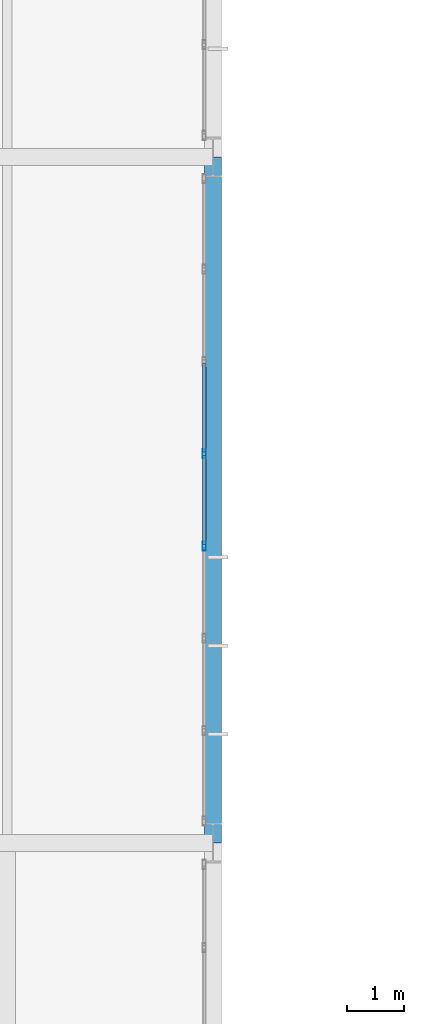
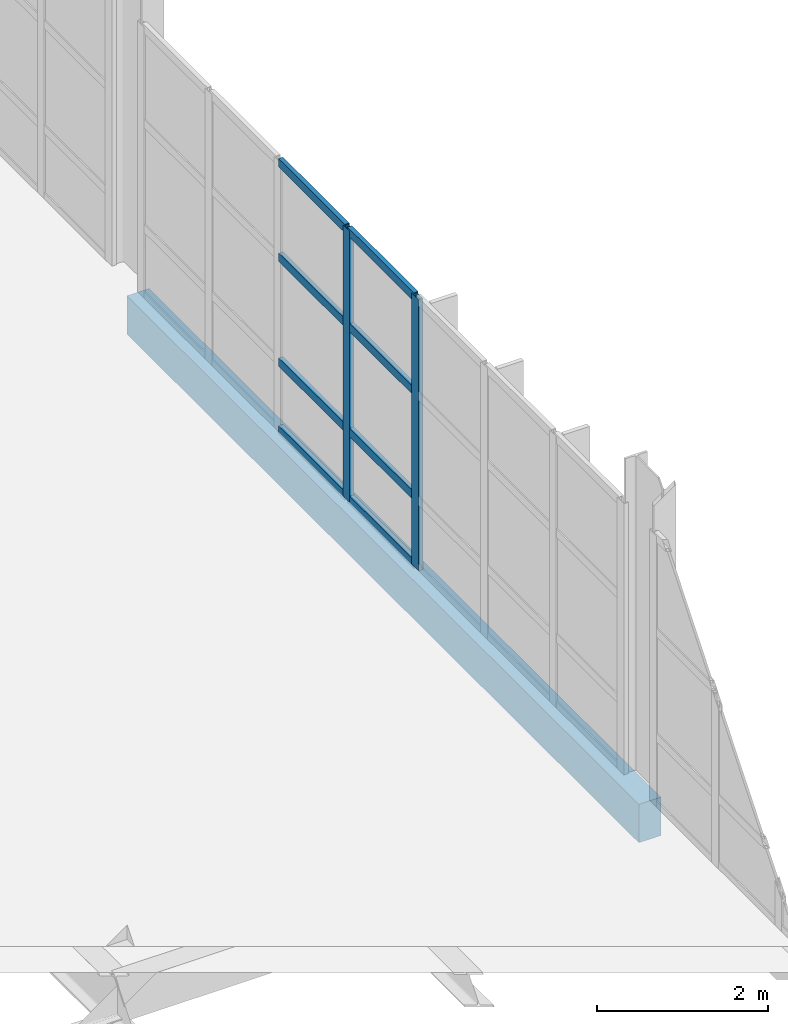
# One storey, part 76 of 113: 10 members, 1 beam, 1 element without a shape of its own.
"""IFC4 building model written with IfcOpenShell, lengths in metres."""

from ifc_helpers import new_model, si_unit, direction, frame, origin, origin_2d, place, context, subcontext, project, spatial, rectangle, hollow_rectangle, extrude, material, material_profile, profile_set, type_object, element, aggregate, save


model = new_model("IFC4")

# Units and contexts
model_context = context("Model", 3, precision=1e-05, world=origin(), true_north=direction((0.0, 1.0)))
body_context = subcontext(model_context, "Body", "Model", "MODEL_VIEW")
ifc_project = project(units=[si_unit("LENGTHUNIT", "METRE"), si_unit("AREAUNIT", "SQUARE_METRE"), si_unit("VOLUMEUNIT", "CUBIC_METRE"), si_unit("PLANEANGLEUNIT", "RADIAN"), si_unit("MASSUNIT", "GRAM", prefix="KILO")], contexts=[model_context])

# Site, building, storey
site_placement = place(None, origin())
site = spatial("IfcSite", under=ifc_project, at=site_placement, CompositionType="ELEMENT")
building_placement = place(site_placement, origin())
building = spatial("IfcBuilding", under=site, at=building_placement, Name="Veltarok Museum of Natural Sciences", CompositionType="ELEMENT")
storey_placement = place(building_placement, frame((0.0, 0.0, 8.39990234375)))
storey = spatial("IfcBuildingStorey", under=building, at=storey_placement, Name="L01", CompositionType="ELEMENT", Elevation=8.39990234375)

# Curtain wall, members
ifc_material_1 = material(Name="Low-iron triple insulated glass", Category="glass")
curtain_wall_type = type_object("IfcCurtainWallType", Name="Curtain Wall System CW-V5E-L01-E-1130x388 (V5 East Lab L01 E-F 1130x388cm)", PredefinedType="NOTDEFINED", material=ifc_material_1)
curtain_wall_placement = place(storey_placement, origin())
curtain_wall = element("IfcCurtainWall", 1, at=curtain_wall_placement, inside=storey, type_object=curtain_wall_type, Name="Curtain Wall CW-V5E-L01-E-1130x388 CW-0106", PredefinedType="NOTDEFINED")
ifc_material_2 = material(Name="Thermally broken anodised aluminium", Category="aluminium")
ifc_material_profile_1 = material_profile(ifc_material_2, hollow_rectangle(XDim=0.06005859375, YDim=0.1201171875, WallThickness=0.0048828125, at=origin_2d()), Name="CW TRANSOM 60x120x5")
ifc_profile_set_1 = profile_set([ifc_material_profile_1], Name="Thermally broken anodised aluminium")
member_type_1 = type_object("IfcMemberType", Name="Curtain Wall Horizontal Transom 60x120x5", PredefinedType="USERDEFINED", material=ifc_profile_set_1)
member_1_placement = place(storey_placement, frame((164.64990234375, 41.222900390625, 0.030029296875), z_axis=(0.0, 1.0, 0.0), x_axis=(-1.0, 0.0, 0.0)))
member_1 = element("IfcMember", 2, at=member_1_placement, type_object=member_type_1, Name="CW-V5E-L01-E-1130x388 transom 4.1", ObjectType="TRANSOM", PredefinedType="USERDEFINED", context=body_context, shape_type="SweptSolid", body=[
    extrude(hollow_rectangle(XDim=0.06005859375, YDim=0.1201171875, WallThickness=0.0048828125, at=origin_2d()), origin(), (0.0, 0.0, 1.0), 1.55419921875),
])
member_2_placement = place(storey_placement, frame((164.64990234375, 41.222900390625, 1.0), z_axis=(0.0, 1.0, 0.0), x_axis=(-1.0, 0.0, 0.0)))
member_2 = element("IfcMember", 3, at=member_2_placement, type_object=member_type_1, Name="CW-V5E-L01-E-1130x388 transom 4.2", ObjectType="TRANSOM", PredefinedType="USERDEFINED", context=body_context, shape_type="SweptSolid", body=[
    extrude(hollow_rectangle(XDim=0.06005859375, YDim=0.1201171875, WallThickness=0.0048828125, at=origin_2d()), origin(), (0.0, 0.0, 1.0), 1.55419921875),
])
member_3_placement = place(storey_placement, frame((164.64990234375, 41.222900390625, 2.5), z_axis=(0.0, 1.0, 0.0), x_axis=(-1.0, 0.0, 0.0)))
member_3 = element("IfcMember", 4, at=member_3_placement, type_object=member_type_1, Name="CW-V5E-L01-E-1130x388 transom 4.3", ObjectType="TRANSOM", PredefinedType="USERDEFINED", context=body_context, shape_type="SweptSolid", body=[
    extrude(hollow_rectangle(XDim=0.06005859375, YDim=0.1201171875, WallThickness=0.0048828125, at=origin_2d()), origin(), (0.0, 0.0, 1.0), 1.55419921875),
])
member_4_placement = place(storey_placement, frame((164.64990234375, 41.222900390625, 3.85009765625), z_axis=(0.0, 1.0, 0.0), x_axis=(-1.0, 0.0, 0.0)))
member_4 = element("IfcMember", 5, at=member_4_placement, type_object=member_type_1, Name="CW-V5E-L01-E-1130x388 transom 4.4", ObjectType="TRANSOM", PredefinedType="USERDEFINED", context=body_context, shape_type="SweptSolid", body=[
    extrude(hollow_rectangle(XDim=0.06005859375, YDim=0.1201171875, WallThickness=0.0048828125, at=origin_2d()), origin(), (0.0, 0.0, 1.0), 1.55419921875),
])
member_5_placement = place(storey_placement, frame((164.64990234375, 42.837158203125, 0.030029296875), z_axis=(0.0, 1.0, 0.0), x_axis=(-1.0, 0.0, 0.0)))
member_5 = element("IfcMember", 6, at=member_5_placement, type_object=member_type_1, Name="CW-V5E-L01-E-1130x388 transom 5.1", ObjectType="TRANSOM", PredefinedType="USERDEFINED", context=body_context, shape_type="SweptSolid", body=[
    extrude(hollow_rectangle(XDim=0.06005859375, YDim=0.1201171875, WallThickness=0.0048828125, at=origin_2d()), origin(), (0.0, 0.0, 1.0), 1.55419921875),
])
member_6_placement = place(storey_placement, frame((164.64990234375, 42.837158203125, 1.0), z_axis=(0.0, 1.0, 0.0), x_axis=(-1.0, 0.0, 0.0)))
member_6 = element("IfcMember", 7, at=member_6_placement, type_object=member_type_1, Name="CW-V5E-L01-E-1130x388 transom 5.2", ObjectType="TRANSOM", PredefinedType="USERDEFINED", context=body_context, shape_type="SweptSolid", body=[
    extrude(hollow_rectangle(XDim=0.06005859375, YDim=0.1201171875, WallThickness=0.0048828125, at=origin_2d()), origin(), (0.0, 0.0, 1.0), 1.55419921875),
])
member_7_placement = place(storey_placement, frame((164.64990234375, 42.837158203125, 2.5), z_axis=(0.0, 1.0, 0.0), x_axis=(-1.0, 0.0, 0.0)))
member_7 = element("IfcMember", 8, at=member_7_placement, type_object=member_type_1, Name="CW-V5E-L01-E-1130x388 transom 5.3", ObjectType="TRANSOM", PredefinedType="USERDEFINED", context=body_context, shape_type="SweptSolid", body=[
    extrude(hollow_rectangle(XDim=0.06005859375, YDim=0.1201171875, WallThickness=0.0048828125, at=origin_2d()), origin(), (0.0, 0.0, 1.0), 1.55419921875),
])
member_8_placement = place(storey_placement, frame((164.64990234375, 42.837158203125, 3.85009765625), z_axis=(0.0, 1.0, 0.0), x_axis=(-1.0, 0.0, 0.0)))
member_8 = element("IfcMember", 9, at=member_8_placement, type_object=member_type_1, Name="CW-V5E-L01-E-1130x388 transom 5.4", ObjectType="TRANSOM", PredefinedType="USERDEFINED", context=body_context, shape_type="SweptSolid", body=[
    extrude(hollow_rectangle(XDim=0.06005859375, YDim=0.1201171875, WallThickness=0.0048828125, at=origin_2d()), origin(), (0.0, 0.0, 1.0), 1.55419921875),
])
ifc_material_profile_2 = material_profile(ifc_material_2, hollow_rectangle(XDim=0.06005859375, YDim=0.159912109375, WallThickness=0.0048828125, at=origin_2d()), Name="CW MULLION 60x160x5")
ifc_profile_set_2 = profile_set([ifc_material_profile_2], Name="Thermally broken anodised aluminium")
member_type_2 = type_object("IfcMemberType", Name="Curtain Wall Vertical Mullion 60x160x5", PredefinedType="MULLION", material=ifc_profile_set_2)
member_9_placement = place(storey_placement, frame((164.64990234375, 41.19287109375, 0.0), z_axis=(0.0, 0.0, 1.0), x_axis=(-1.0, 0.0, 0.0)))
member_9 = element("IfcMember", 10, at=member_9_placement, type_object=member_type_2, Name="CW-V5E-L01-E-1130x388 mullion 4", PredefinedType="MULLION", context=body_context, shape_type="SweptSolid", body=[
    extrude(hollow_rectangle(XDim=0.06005859375, YDim=0.159912109375, WallThickness=0.0048828125, at=origin_2d()), origin(), (0.0, 0.0, 1.0), 3.880126953125),
])
member_10_placement = place(storey_placement, frame((164.64990234375, 42.80712890625, 0.0), z_axis=(0.0, 0.0, 1.0), x_axis=(-1.0, 0.0, 0.0)))
member_10 = element("IfcMember", 11, at=member_10_placement, type_object=member_type_2, Name="CW-V5E-L01-E-1130x388 mullion 5", PredefinedType="MULLION", context=body_context, shape_type="SweptSolid", body=[
    extrude(hollow_rectangle(XDim=0.06005859375, YDim=0.159912109375, WallThickness=0.0048828125, at=origin_2d()), origin(), (0.0, 0.0, 1.0), 3.880126953125),
])
aggregate(curtain_wall, [member_9, member_10, member_1, member_2, member_3, member_4, member_5, member_6, member_7, member_8])

# Beam
ifc_material_3 = material(Name="Precast concrete C40/50", Category="concrete")
ifc_material_profile_3 = material_profile(ifc_material_3, rectangle(XDim=0.300048828125, YDim=0.550048828125, at=origin_2d()), Name="RC 300x550")
ifc_profile_set_3 = profile_set([ifc_material_profile_3], Name="Precast concrete C40/50")
beam_type = type_object("IfcBeamType", Name="East Wing Precast Spandrel RC 300x550", PredefinedType="SPANDREL", material=ifc_profile_set_3)
beam_placement = place(storey_placement, frame((164.800048828125, 36.0, -0.52490234375), z_axis=(0.0, 1.0, 0.0), x_axis=(-1.0, 0.0, 0.0)))
element("IfcBeam", 12, at=beam_placement, inside=storey, type_object=beam_type, Name="Beam BM-SP02 L01 20/E-F", PredefinedType="SPANDREL", context=body_context, shape_type="SweptSolid", body=[
    extrude(rectangle(XDim=0.300048828125, YDim=0.550048828125, at=origin_2d()), origin(), (0.0, 0.0, 1.0), 12.0),
])

save(model, "model.ifc")
